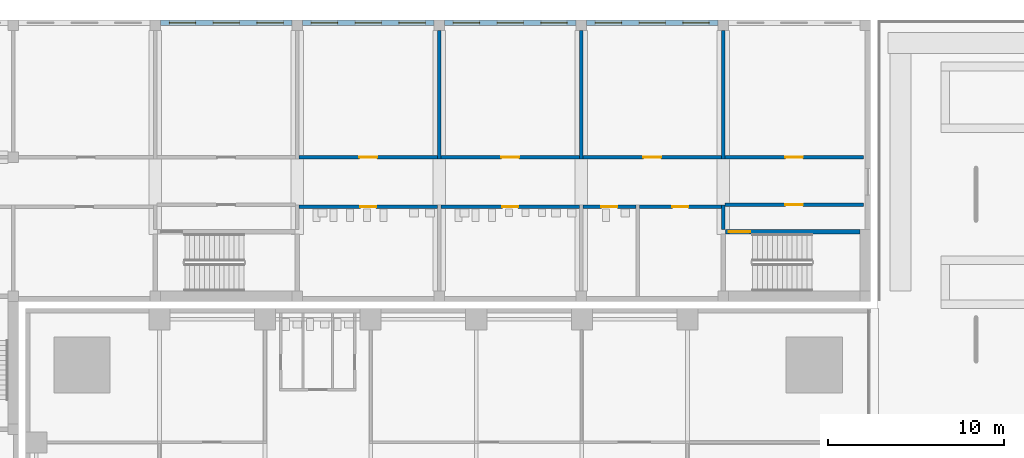
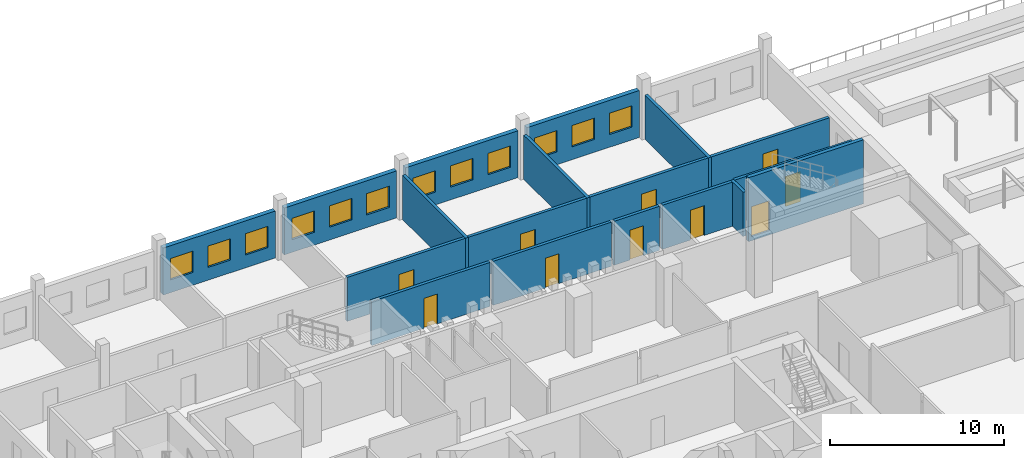
# One storey, part 26 of 34: 18 walls, 12 windows, 10 doors, 22 openings.
"""IFC4 building model written with IfcOpenShell, lengths in metres."""

from ifc_helpers import new_model, si_unit, direction, frame, frame_2d, origin, place, context, subcontext, project, spatial, rectangle, extrude, material, layer, layer_set, type_object, element, fill, save


model = new_model("IFC4")

# Units and contexts
model_context = context("Model", 3, precision=1e-05, world=origin(), true_north=direction((0.0, 1.0)))
body_context = subcontext(model_context, "Body", "Model", "MODEL_VIEW")
ifc_project = project(units=[si_unit("LENGTHUNIT", "METRE"), si_unit("AREAUNIT", "SQUARE_METRE"), si_unit("VOLUMEUNIT", "CUBIC_METRE"), si_unit("PLANEANGLEUNIT", "RADIAN"), si_unit("MASSUNIT", "GRAM", prefix="KILO")], contexts=[model_context])

# Site, building, storey
site_placement = place(None, origin())
site = spatial("IfcSite", under=ifc_project, at=site_placement, CompositionType="ELEMENT")
building_placement = place(site_placement, origin())
building = spatial("IfcBuilding", under=site, at=building_placement, Name="Amberfall Residences", CompositionType="ELEMENT")
storey_placement = place(building_placement, frame((0.0, 0.0, 5.5)))
storey = spatial("IfcBuildingStorey", under=building, at=storey_placement, Name="L01", CompositionType="ELEMENT", Elevation=5.5)

# Wall, openings, windows
ifc_material_1 = material(Name="Aerated block wall")
ifc_layer_1 = layer(ifc_material_1, 0.300048828125)
ifc_layer_set_1 = layer_set([ifc_layer_1], Name="School external wall 300")
wall_type_1 = type_object("IfcWallType", Name="School external wall 300", PredefinedType="SOLIDWALL", material=ifc_layer_set_1)
wall_1_placement = place(storey_placement, frame((59.6669921875, 84.25, 0.0), z_axis=(0.0, 0.0, 1.0), x_axis=(1.0, 0.0, 0.0)))
wall_1 = element("IfcWall", 1, at=wall_1_placement, inside=storey, type_object=wall_type_1, Name="School external wall L01 EN3", PredefinedType="SOLIDWALL", context=body_context, shape_type="SweptSolid", body=[
    extrude(rectangle(XDim=7.466064453125, YDim=0.300048828125, at=frame_2d((3.73291015625, 0.0))), origin(), (0.0, 0.0, 1.0), 3.300048828125),
])
opening_1_placement = place(wall_1_placement, frame((0.494384765625, 0.0, 0.89990234375)))
opening_1 = element("IfcOpeningElement", 2, at=opening_1_placement, cuts=wall_1, Name="Opening SWN1", PredefinedType="OPENING", context=body_context, shape_type="SweptSolid", body=[
    extrude(rectangle(XDim=1.5, YDim=1.5, at=frame_2d((0.75, 0.75))), frame((0.0, 0.159912109375, 0.0), z_axis=(0.0, -1.0, 0.0), x_axis=(1.0, 0.0, 0.0)), (0.0, 0.0, 1.0), 0.320068359375),
])
opening_2_placement = place(wall_1_placement, frame((2.98291015625, 0.0, 0.89990234375)))
opening_2 = element("IfcOpeningElement", 3, at=opening_2_placement, cuts=wall_1, Name="Opening SWN1", PredefinedType="OPENING", context=body_context, shape_type="SweptSolid", body=[
    extrude(rectangle(XDim=1.5, YDim=1.5, at=frame_2d((0.75, 0.75))), frame((0.0, 0.159912109375, 0.0), z_axis=(0.0, -1.0, 0.0), x_axis=(1.0, 0.0, 0.0)), (0.0, 0.0, 1.0), 0.320068359375),
])
opening_3_placement = place(wall_1_placement, frame((5.4716796875, 0.0, 0.89990234375)))
opening_3 = element("IfcOpeningElement", 4, at=opening_3_placement, cuts=wall_1, Name="Opening SWN1", PredefinedType="OPENING", context=body_context, shape_type="SweptSolid", body=[
    extrude(rectangle(XDim=1.5, YDim=1.5, at=frame_2d((0.75, 0.75))), frame((0.0, 0.159912109375, 0.0), z_axis=(0.0, -1.0, 0.0), x_axis=(1.0, 0.0, 0.0)), (0.0, 0.0, 1.0), 0.320068359375),
])
ifc_material_2 = material(Name="Aluminium window", Category="aluminium")
window_type = type_object("IfcWindowType", Name="School window 1500 x 1500", PartitioningType="DOUBLE_PANEL_HORIZONTAL", PredefinedType="WINDOW", material=ifc_material_2)
window_1_placement = place(opening_1_placement, origin())
window_1 = element("IfcWindow", 5, at=window_1_placement, inside=storey, type_object=window_type, Name="School window L01 EN3-1", OverallHeight=1.5, OverallWidth=1.5, PartitioningType="DOUBLE_PANEL_HORIZONTAL", PredefinedType="WINDOW", context=body_context, shape_type="SweptSolid", body=[
    extrude(rectangle(XDim=1.5, YDim=1.5, at=frame_2d((0.75, 0.75))), frame((0.0, 0.030029296875, 0.0), z_axis=(0.0, -1.0, 0.0), x_axis=(1.0, 0.0, 0.0)), (0.0, 0.0, 1.0), 0.06005859375),
])
fill(opening_1, window_1)
window_2_placement = place(opening_2_placement, origin())
window_2 = element("IfcWindow", 6, at=window_2_placement, inside=storey, type_object=window_type, Name="School window L01 EN3-2", OverallHeight=1.5, OverallWidth=1.5, PartitioningType="DOUBLE_PANEL_HORIZONTAL", PredefinedType="WINDOW", context=body_context, shape_type="SweptSolid", body=[
    extrude(rectangle(XDim=1.5, YDim=1.5, at=frame_2d((0.75, 0.75))), frame((0.0, 0.030029296875, 0.0), z_axis=(0.0, -1.0, 0.0), x_axis=(1.0, 0.0, 0.0)), (0.0, 0.0, 1.0), 0.06005859375),
])
fill(opening_2, window_2)
window_3_placement = place(opening_3_placement, origin())
window_3 = element("IfcWindow", 7, at=window_3_placement, inside=storey, type_object=window_type, Name="School window L01 EN3-3", OverallHeight=1.5, OverallWidth=1.5, PartitioningType="DOUBLE_PANEL_HORIZONTAL", PredefinedType="WINDOW", context=body_context, shape_type="SweptSolid", body=[
    extrude(rectangle(XDim=1.5, YDim=1.5, at=frame_2d((0.75, 0.75))), frame((0.0, 0.030029296875, 0.0), z_axis=(0.0, -1.0, 0.0), x_axis=(1.0, 0.0, 0.0)), (0.0, 0.0, 1.0), 0.06005859375),
])
fill(opening_3, window_3)

wall_2_placement = place(storey_placement, frame((67.73291015625, 84.25, 0.0), z_axis=(0.0, 0.0, 1.0), x_axis=(1.0, 0.0, 0.0)))
wall_2 = element("IfcWall", 8, at=wall_2_placement, inside=storey, type_object=wall_type_1, Name="School external wall L01 EN4", PredefinedType="SOLIDWALL", context=body_context, shape_type="SweptSolid", body=[
    extrude(rectangle(XDim=7.467041015625, YDim=0.300048828125, at=frame_2d((3.7333984375, 0.0))), origin(), (0.0, 0.0, 1.0), 3.300048828125),
])
opening_4_placement = place(wall_2_placement, frame((0.494384765625, 0.0, 0.89990234375)))
opening_4 = element("IfcOpeningElement", 9, at=opening_4_placement, cuts=wall_2, Name="Opening SWN1", PredefinedType="OPENING", context=body_context, shape_type="SweptSolid", body=[
    extrude(rectangle(XDim=1.5, YDim=1.5, at=frame_2d((0.75, 0.75))), frame((0.0, 0.159912109375, 0.0), z_axis=(0.0, -1.0, 0.0), x_axis=(1.0, 0.0, 0.0)), (0.0, 0.0, 1.0), 0.320068359375),
])
opening_5_placement = place(wall_2_placement, frame((2.9833984375, 0.0, 0.89990234375)))
opening_5 = element("IfcOpeningElement", 10, at=opening_5_placement, cuts=wall_2, Name="Opening SWN1", PredefinedType="OPENING", context=body_context, shape_type="SweptSolid", body=[
    extrude(rectangle(XDim=1.5, YDim=1.5, at=frame_2d((0.75, 0.75))), frame((0.0, 0.159912109375, 0.0), z_axis=(0.0, -1.0, 0.0), x_axis=(1.0, 0.0, 0.0)), (0.0, 0.0, 1.0), 0.320068359375),
])
opening_6_placement = place(wall_2_placement, frame((5.472412109375, 0.0, 0.89990234375)))
opening_6 = element("IfcOpeningElement", 11, at=opening_6_placement, cuts=wall_2, Name="Opening SWN1", PredefinedType="OPENING", context=body_context, shape_type="SweptSolid", body=[
    extrude(rectangle(XDim=1.5, YDim=1.5, at=frame_2d((0.75, 0.75))), frame((0.0, 0.159912109375, 0.0), z_axis=(0.0, -1.0, 0.0), x_axis=(1.0, 0.0, 0.0)), (0.0, 0.0, 1.0), 0.320068359375),
])
window_4_placement = place(opening_4_placement, origin())
window_4 = element("IfcWindow", 12, at=window_4_placement, inside=storey, type_object=window_type, Name="School window L01 EN4-1", OverallHeight=1.5, OverallWidth=1.5, PartitioningType="DOUBLE_PANEL_HORIZONTAL", PredefinedType="WINDOW", context=body_context, shape_type="SweptSolid", body=[
    extrude(rectangle(XDim=1.5, YDim=1.5, at=frame_2d((0.75, 0.75))), frame((0.0, 0.030029296875, 0.0), z_axis=(0.0, -1.0, 0.0), x_axis=(1.0, 0.0, 0.0)), (0.0, 0.0, 1.0), 0.06005859375),
])
fill(opening_4, window_4)
window_5_placement = place(opening_5_placement, origin())
window_5 = element("IfcWindow", 13, at=window_5_placement, inside=storey, type_object=window_type, Name="School window L01 EN4-2", OverallHeight=1.5, OverallWidth=1.5, PartitioningType="DOUBLE_PANEL_HORIZONTAL", PredefinedType="WINDOW", context=body_context, shape_type="SweptSolid", body=[
    extrude(rectangle(XDim=1.5, YDim=1.5, at=frame_2d((0.75, 0.75))), frame((0.0, 0.030029296875, 0.0), z_axis=(0.0, -1.0, 0.0), x_axis=(1.0, 0.0, 0.0)), (0.0, 0.0, 1.0), 0.06005859375),
])
fill(opening_5, window_5)
window_6_placement = place(opening_6_placement, origin())
window_6 = element("IfcWindow", 14, at=window_6_placement, inside=storey, type_object=window_type, Name="School window L01 EN4-3", OverallHeight=1.5, OverallWidth=1.5, PartitioningType="DOUBLE_PANEL_HORIZONTAL", PredefinedType="WINDOW", context=body_context, shape_type="SweptSolid", body=[
    extrude(rectangle(XDim=1.5, YDim=1.5, at=frame_2d((0.75, 0.75))), frame((0.0, 0.030029296875, 0.0), z_axis=(0.0, -1.0, 0.0), x_axis=(1.0, 0.0, 0.0)), (0.0, 0.0, 1.0), 0.06005859375),
])
fill(opening_6, window_6)

wall_3_placement = place(storey_placement, frame((75.800048828125, 84.25, 0.0), z_axis=(0.0, 0.0, 1.0), x_axis=(1.0, 0.0, 0.0)))
wall_3 = element("IfcWall", 15, at=wall_3_placement, inside=storey, type_object=wall_type_1, Name="School external wall L01 EN5", PredefinedType="SOLIDWALL", context=body_context, shape_type="SweptSolid", body=[
    extrude(rectangle(XDim=7.467041015625, YDim=0.300048828125, at=frame_2d((3.7333984375, 0.0))), origin(), (0.0, 0.0, 1.0), 3.300048828125),
])
opening_7_placement = place(wall_3_placement, frame((0.494384765625, 0.0, 0.89990234375)))
opening_7 = element("IfcOpeningElement", 16, at=opening_7_placement, cuts=wall_3, Name="Opening SWN1", PredefinedType="OPENING", context=body_context, shape_type="SweptSolid", body=[
    extrude(rectangle(XDim=1.5, YDim=1.5, at=frame_2d((0.75, 0.75))), frame((0.0, 0.159912109375, 0.0), z_axis=(0.0, -1.0, 0.0), x_axis=(1.0, 0.0, 0.0)), (0.0, 0.0, 1.0), 0.320068359375),
])
opening_8_placement = place(wall_3_placement, frame((2.9833984375, 0.0, 0.89990234375)))
opening_8 = element("IfcOpeningElement", 17, at=opening_8_placement, cuts=wall_3, Name="Opening SWN1", PredefinedType="OPENING", context=body_context, shape_type="SweptSolid", body=[
    extrude(rectangle(XDim=1.5, YDim=1.5, at=frame_2d((0.75, 0.75))), frame((0.0, 0.159912109375, 0.0), z_axis=(0.0, -1.0, 0.0), x_axis=(1.0, 0.0, 0.0)), (0.0, 0.0, 1.0), 0.320068359375),
])
opening_9_placement = place(wall_3_placement, frame((5.472412109375, 0.0, 0.89990234375)))
opening_9 = element("IfcOpeningElement", 18, at=opening_9_placement, cuts=wall_3, Name="Opening SWN1", PredefinedType="OPENING", context=body_context, shape_type="SweptSolid", body=[
    extrude(rectangle(XDim=1.5, YDim=1.5, at=frame_2d((0.75, 0.75))), frame((0.0, 0.159912109375, 0.0), z_axis=(0.0, -1.0, 0.0), x_axis=(1.0, 0.0, 0.0)), (0.0, 0.0, 1.0), 0.320068359375),
])
window_7_placement = place(opening_7_placement, origin())
window_7 = element("IfcWindow", 19, at=window_7_placement, inside=storey, type_object=window_type, Name="School window L01 EN5-1", OverallHeight=1.5, OverallWidth=1.5, PartitioningType="DOUBLE_PANEL_HORIZONTAL", PredefinedType="WINDOW", context=body_context, shape_type="SweptSolid", body=[
    extrude(rectangle(XDim=1.5, YDim=1.5, at=frame_2d((0.75, 0.75))), frame((0.0, 0.030029296875, 0.0), z_axis=(0.0, -1.0, 0.0), x_axis=(1.0, 0.0, 0.0)), (0.0, 0.0, 1.0), 0.06005859375),
])
fill(opening_7, window_7)
window_8_placement = place(opening_8_placement, origin())
window_8 = element("IfcWindow", 20, at=window_8_placement, inside=storey, type_object=window_type, Name="School window L01 EN5-2", OverallHeight=1.5, OverallWidth=1.5, PartitioningType="DOUBLE_PANEL_HORIZONTAL", PredefinedType="WINDOW", context=body_context, shape_type="SweptSolid", body=[
    extrude(rectangle(XDim=1.5, YDim=1.5, at=frame_2d((0.75, 0.75))), frame((0.0, 0.030029296875, 0.0), z_axis=(0.0, -1.0, 0.0), x_axis=(1.0, 0.0, 0.0)), (0.0, 0.0, 1.0), 0.06005859375),
])
fill(opening_8, window_8)
window_9_placement = place(opening_9_placement, origin())
window_9 = element("IfcWindow", 21, at=window_9_placement, inside=storey, type_object=window_type, Name="School window L01 EN5-3", OverallHeight=1.5, OverallWidth=1.5, PartitioningType="DOUBLE_PANEL_HORIZONTAL", PredefinedType="WINDOW", context=body_context, shape_type="SweptSolid", body=[
    extrude(rectangle(XDim=1.5, YDim=1.5, at=frame_2d((0.75, 0.75))), frame((0.0, 0.030029296875, 0.0), z_axis=(0.0, -1.0, 0.0), x_axis=(1.0, 0.0, 0.0)), (0.0, 0.0, 1.0), 0.06005859375),
])
fill(opening_9, window_9)

wall_4_placement = place(storey_placement, frame((83.866943359375, 84.25, 0.0), z_axis=(0.0, 0.0, 1.0), x_axis=(1.0, 0.0, 0.0)))
wall_4 = element("IfcWall", 22, at=wall_4_placement, inside=storey, type_object=wall_type_1, Name="School external wall L01 EN6", PredefinedType="SOLIDWALL", context=body_context, shape_type="SweptSolid", body=[
    extrude(rectangle(XDim=7.466064453125, YDim=0.300048828125, at=frame_2d((3.73291015625, 0.0))), origin(), (0.0, 0.0, 1.0), 3.300048828125),
])
opening_10_placement = place(wall_4_placement, frame((0.494384765625, 0.0, 0.89990234375)))
opening_10 = element("IfcOpeningElement", 23, at=opening_10_placement, cuts=wall_4, Name="Opening SWN1", PredefinedType="OPENING", context=body_context, shape_type="SweptSolid", body=[
    extrude(rectangle(XDim=1.5, YDim=1.5, at=frame_2d((0.75, 0.75))), frame((0.0, 0.159912109375, 0.0), z_axis=(0.0, -1.0, 0.0), x_axis=(1.0, 0.0, 0.0)), (0.0, 0.0, 1.0), 0.320068359375),
])
opening_11_placement = place(wall_4_placement, frame((2.98291015625, 0.0, 0.89990234375)))
opening_11 = element("IfcOpeningElement", 24, at=opening_11_placement, cuts=wall_4, Name="Opening SWN1", PredefinedType="OPENING", context=body_context, shape_type="SweptSolid", body=[
    extrude(rectangle(XDim=1.5, YDim=1.5, at=frame_2d((0.75, 0.75))), frame((0.0, 0.159912109375, 0.0), z_axis=(0.0, -1.0, 0.0), x_axis=(1.0, 0.0, 0.0)), (0.0, 0.0, 1.0), 0.320068359375),
])
opening_12_placement = place(wall_4_placement, frame((5.4716796875, 0.0, 0.89990234375)))
opening_12 = element("IfcOpeningElement", 25, at=opening_12_placement, cuts=wall_4, Name="Opening SWN1", PredefinedType="OPENING", context=body_context, shape_type="SweptSolid", body=[
    extrude(rectangle(XDim=1.5, YDim=1.5, at=frame_2d((0.75, 0.75))), frame((0.0, 0.159912109375, 0.0), z_axis=(0.0, -1.0, 0.0), x_axis=(1.0, 0.0, 0.0)), (0.0, 0.0, 1.0), 0.320068359375),
])
window_10_placement = place(opening_10_placement, origin())
window_10 = element("IfcWindow", 26, at=window_10_placement, inside=storey, type_object=window_type, Name="School window L01 EN6-1", OverallHeight=1.5, OverallWidth=1.5, PartitioningType="DOUBLE_PANEL_HORIZONTAL", PredefinedType="WINDOW", context=body_context, shape_type="SweptSolid", body=[
    extrude(rectangle(XDim=1.5, YDim=1.5, at=frame_2d((0.75, 0.75))), frame((0.0, 0.030029296875, 0.0), z_axis=(0.0, -1.0, 0.0), x_axis=(1.0, 0.0, 0.0)), (0.0, 0.0, 1.0), 0.06005859375),
])
fill(opening_10, window_10)
window_11_placement = place(opening_11_placement, origin())
window_11 = element("IfcWindow", 27, at=window_11_placement, inside=storey, type_object=window_type, Name="School window L01 EN6-2", OverallHeight=1.5, OverallWidth=1.5, PartitioningType="DOUBLE_PANEL_HORIZONTAL", PredefinedType="WINDOW", context=body_context, shape_type="SweptSolid", body=[
    extrude(rectangle(XDim=1.5, YDim=1.5, at=frame_2d((0.75, 0.75))), frame((0.0, 0.030029296875, 0.0), z_axis=(0.0, -1.0, 0.0), x_axis=(1.0, 0.0, 0.0)), (0.0, 0.0, 1.0), 0.06005859375),
])
fill(opening_11, window_11)
window_12_placement = place(opening_12_placement, origin())
window_12 = element("IfcWindow", 28, at=window_12_placement, inside=storey, type_object=window_type, Name="School window L01 EN6-3", OverallHeight=1.5, OverallWidth=1.5, PartitioningType="DOUBLE_PANEL_HORIZONTAL", PredefinedType="WINDOW", context=body_context, shape_type="SweptSolid", body=[
    extrude(rectangle(XDim=1.5, YDim=1.5, at=frame_2d((0.75, 0.75))), frame((0.0, 0.030029296875, 0.0), z_axis=(0.0, -1.0, 0.0), x_axis=(1.0, 0.0, 0.0)), (0.0, 0.0, 1.0), 0.06005859375),
])
fill(opening_12, window_12)

# Wall, opening, door
ifc_layer_2 = layer(ifc_material_1, 0.199951171875)
ifc_layer_set_2 = layer_set([ifc_layer_2], Name="School partition 200")
wall_type_2 = type_object("IfcWallType", Name="School partition 200", PredefinedType="PARTITIONING", material=ifc_layer_set_2)
wall_5_placement = place(storey_placement, frame((67.532958984375, 76.60009765625, 0.0), z_axis=(0.0, 0.0, 1.0), x_axis=(1.0, 0.0, 0.0)))
wall_5 = element("IfcWall", 29, at=wall_5_placement, inside=storey, type_object=wall_type_2, Name="School partition L01 CWN268", PredefinedType="PARTITIONING", context=body_context, shape_type="SweptSolid", body=[
    extrude(rectangle(XDim=7.866943359375, YDim=0.199951171875, at=frame_2d((3.93359375, 0.0))), origin(), (0.0, 0.0, 1.0), 3.10009765625),
])
opening_13_placement = place(wall_5_placement, frame((3.43359375, 0.0, 0.0)))
opening_13 = element("IfcOpeningElement", 30, at=opening_13_placement, cuts=wall_5, Name="Opening SD5", PredefinedType="OPENING", context=body_context, shape_type="SweptSolid", body=[
    extrude(rectangle(XDim=1.0, YDim=2.10009765625, at=frame_2d((0.5, 1.050048828125))), frame((0.0, 0.10986328125, 0.0), z_axis=(0.0, -1.0, 0.0), x_axis=(1.0, 0.0, 0.0)), (0.0, 0.0, 1.0), 0.219970703125),
])
ifc_material_3 = material(Name="Timber door", Category="wood")
door_type_1 = type_object("IfcDoorType", Name="School classroom door 1000 x 2100", OperationType="SINGLE_SWING_LEFT", PredefinedType="DOOR", material=ifc_material_3)
door_1_placement = place(opening_13_placement, origin())
door_1 = element("IfcDoor", 31, at=door_1_placement, inside=storey, type_object=door_type_1, Name="School door L01 CWN268-1", OperationType="SINGLE_SWING_LEFT", OverallHeight=2.10009765625, OverallWidth=1.0, PredefinedType="DOOR", context=body_context, shape_type="SweptSolid", body=[
    extrude(rectangle(XDim=1.0, YDim=2.10009765625, at=frame_2d((0.5, 1.050048828125))), frame((0.0, 0.02490234375, 0.0), z_axis=(0.0, -1.0, 0.0), x_axis=(1.0, 0.0, 0.0)), (0.0, 0.0, 1.0), 0.050048828125),
])
fill(opening_13, door_1)

wall_6_placement = place(storey_placement, frame((75.60009765625, 76.60009765625, 0.0), z_axis=(0.0, 0.0, 1.0), x_axis=(1.0, 0.0, 0.0)))
wall_6 = element("IfcWall", 32, at=wall_6_placement, inside=storey, type_object=wall_type_2, Name="School partition L01 CWN376", PredefinedType="PARTITIONING", context=body_context, shape_type="SweptSolid", body=[
    extrude(rectangle(XDim=7.866943359375, YDim=0.199951171875, at=frame_2d((3.93359375, 0.0))), origin(), (0.0, 0.0, 1.0), 3.10009765625),
])
opening_14_placement = place(wall_6_placement, frame((3.43359375, 0.0, 0.0)))
opening_14 = element("IfcOpeningElement", 33, at=opening_14_placement, cuts=wall_6, Name="Opening SD5", PredefinedType="OPENING", context=body_context, shape_type="SweptSolid", body=[
    extrude(rectangle(XDim=1.0, YDim=2.10009765625, at=frame_2d((0.5, 1.050048828125))), frame((0.0, 0.10986328125, 0.0), z_axis=(0.0, -1.0, 0.0), x_axis=(1.0, 0.0, 0.0)), (0.0, 0.0, 1.0), 0.219970703125),
])
door_2_placement = place(opening_14_placement, origin())
door_2 = element("IfcDoor", 34, at=door_2_placement, inside=storey, type_object=door_type_1, Name="School door L01 CWN376-1", OperationType="SINGLE_SWING_LEFT", OverallHeight=2.10009765625, OverallWidth=1.0, PredefinedType="DOOR", context=body_context, shape_type="SweptSolid", body=[
    extrude(rectangle(XDim=1.0, YDim=2.10009765625, at=frame_2d((0.5, 1.050048828125))), frame((0.0, 0.02490234375, 0.0), z_axis=(0.0, -1.0, 0.0), x_axis=(1.0, 0.0, 0.0)), (0.0, 0.0, 1.0), 0.050048828125),
])
fill(opening_14, door_2)

wall_7_placement = place(storey_placement, frame((83.6669921875, 76.60009765625, 0.0), z_axis=(0.0, 0.0, 1.0), x_axis=(1.0, 0.0, 0.0)))
wall_7 = element("IfcWall", 35, at=wall_7_placement, inside=storey, type_object=wall_type_2, Name="School partition L01 CWN484", PredefinedType="PARTITIONING", context=body_context, shape_type="SweptSolid", body=[
    extrude(rectangle(XDim=7.865966796875, YDim=0.199951171875, at=frame_2d((3.93310546875, 0.0))), origin(), (0.0, 0.0, 1.0), 3.10009765625),
])
opening_15_placement = place(wall_7_placement, frame((3.43310546875, 0.0, 0.0)))
opening_15 = element("IfcOpeningElement", 36, at=opening_15_placement, cuts=wall_7, Name="Opening SD5", PredefinedType="OPENING", context=body_context, shape_type="SweptSolid", body=[
    extrude(rectangle(XDim=1.0, YDim=2.10009765625, at=frame_2d((0.5, 1.050048828125))), frame((0.0, 0.10986328125, 0.0), z_axis=(0.0, -1.0, 0.0), x_axis=(1.0, 0.0, 0.0)), (0.0, 0.0, 1.0), 0.219970703125),
])
door_3_placement = place(opening_15_placement, origin())
door_3 = element("IfcDoor", 37, at=door_3_placement, inside=storey, type_object=door_type_1, Name="School door L01 CWN484-1", OperationType="SINGLE_SWING_LEFT", OverallHeight=2.10009765625, OverallWidth=1.0, PredefinedType="DOOR", context=body_context, shape_type="SweptSolid", body=[
    extrude(rectangle(XDim=1.0, YDim=2.10009765625, at=frame_2d((0.5, 1.050048828125))), frame((0.0, 0.02490234375, 0.0), z_axis=(0.0, -1.0, 0.0), x_axis=(1.0, 0.0, 0.0)), (0.0, 0.0, 1.0), 0.050048828125),
])
fill(opening_15, door_3)

wall_8_placement = place(storey_placement, frame((91.73291015625, 76.60009765625, 0.0), z_axis=(0.0, 0.0, 1.0), x_axis=(1.0, 0.0, 0.0)))
wall_8 = element("IfcWall", 38, at=wall_8_placement, inside=storey, type_object=wall_type_2, Name="School partition L01 CWN592", PredefinedType="PARTITIONING", context=body_context, shape_type="SweptSolid", body=[
    extrude(rectangle(XDim=7.8671875, YDim=0.199951171875, at=frame_2d((3.93359375, 0.0))), origin(), (0.0, 0.0, 1.0), 3.10009765625),
])
opening_16_placement = place(wall_8_placement, frame((3.43359375, 0.0, 0.0)))
opening_16 = element("IfcOpeningElement", 39, at=opening_16_placement, cuts=wall_8, Name="Opening SD5", PredefinedType="OPENING", context=body_context, shape_type="SweptSolid", body=[
    extrude(rectangle(XDim=1.0, YDim=2.10009765625, at=frame_2d((0.5, 1.050048828125))), frame((0.0, 0.10986328125, 0.0), z_axis=(0.0, -1.0, 0.0), x_axis=(1.0, 0.0, 0.0)), (0.0, 0.0, 1.0), 0.219970703125),
])
door_4_placement = place(opening_16_placement, origin())
door_4 = element("IfcDoor", 40, at=door_4_placement, inside=storey, type_object=door_type_1, Name="School door L01 CWN592-1", OperationType="SINGLE_SWING_LEFT", OverallHeight=2.10009765625, OverallWidth=1.0, PredefinedType="DOOR", context=body_context, shape_type="SweptSolid", body=[
    extrude(rectangle(XDim=1.0, YDim=2.10009765625, at=frame_2d((0.5, 1.050048828125))), frame((0.0, 0.02490234375, 0.0), z_axis=(0.0, -1.0, 0.0), x_axis=(1.0, 0.0, 0.0)), (0.0, 0.0, 1.0), 0.050048828125),
])
fill(opening_16, door_4)

# Walls
for number, where, z_axis, x_axis, name in (
    (41, (75.5, 76.5, 0.0), (0.0, 0.0, 1.0), (0.0, 1.0, 0.0), "School partition L01 PN7550"),
    (42, (83.56689453125, 76.5, 0.0), (0.0, 0.0, 1.0), (0.0, 1.0, 0.0), "School partition L01 PN8357"),
    (43, (91.633056640625, 76.5, 0.0), (0.0, 0.0, 1.0), (0.0, 1.0, 0.0), "School partition L01 PN9163"),
):
    element("IfcWall", number, at=place(storey_placement, frame(where, z_axis=z_axis, x_axis=x_axis)), inside=storey, type_object=wall_type_2, Name=name, PredefinedType="PARTITIONING", context=body_context, shape_type="SweptSolid", body=[
        extrude(rectangle(XDim=7.300048828125, YDim=0.199951171875, at=frame_2d((3.64990234375, 0.0))), origin(), (0.0, 0.0, 1.0), 3.10009765625),
    ])

# Wall, opening, door
wall_9_placement = place(storey_placement, frame((67.532958984375, 73.800048828125, 0.0), z_axis=(0.0, 0.0, 1.0), x_axis=(1.0, 0.0, 0.0)))
wall_9 = element("IfcWall", 44, at=wall_9_placement, inside=storey, type_object=wall_type_2, Name="School partition L01 CWS68", PredefinedType="PARTITIONING", context=body_context, shape_type="SweptSolid", body=[
    extrude(rectangle(XDim=7.866943359375, YDim=0.199951171875, at=frame_2d((3.93359375, 0.0))), origin(), (0.0, 0.0, 1.0), 3.10009765625),
])
opening_17_placement = place(wall_9_placement, frame((3.4833984375, 0.0, 0.0)))
opening_17 = element("IfcOpeningElement", 45, at=opening_17_placement, cuts=wall_9, Name="Opening SD2", PredefinedType="OPENING", context=body_context, shape_type="SweptSolid", body=[
    extrude(rectangle(XDim=0.89990234375, YDim=2.10009765625, at=frame_2d((0.449951171875, 1.050048828125))), frame((0.0, 0.10986328125, 0.0), z_axis=(0.0, -1.0, 0.0), x_axis=(1.0, 0.0, 0.0)), (0.0, 0.0, 1.0), 0.219970703125),
])
door_type_2 = type_object("IfcDoorType", Name="School WC door 900 x 2100", OperationType="SINGLE_SWING_LEFT", PredefinedType="DOOR", material=ifc_material_3)
door_5_placement = place(opening_17_placement, origin())
door_5 = element("IfcDoor", 46, at=door_5_placement, inside=storey, type_object=door_type_2, Name="School door L01 CWS68-1", OperationType="SINGLE_SWING_LEFT", OverallHeight=2.10009765625, OverallWidth=0.89990234375, PredefinedType="DOOR", context=body_context, shape_type="SweptSolid", body=[
    extrude(rectangle(XDim=0.89990234375, YDim=2.10009765625, at=frame_2d((0.449951171875, 1.050048828125))), frame((0.0, 0.02490234375, 0.0), z_axis=(0.0, -1.0, 0.0), x_axis=(1.0, 0.0, 0.0)), (0.0, 0.0, 1.0), 0.050048828125),
])
fill(opening_17, door_5)

wall_10_placement = place(storey_placement, frame((75.60009765625, 73.800048828125, 0.0), z_axis=(0.0, 0.0, 1.0), x_axis=(1.0, 0.0, 0.0)))
wall_10 = element("IfcWall", 47, at=wall_10_placement, inside=storey, type_object=wall_type_2, Name="School partition L01 CWS76", PredefinedType="PARTITIONING", context=body_context, shape_type="SweptSolid", body=[
    extrude(rectangle(XDim=7.866943359375, YDim=0.199951171875, at=frame_2d((3.93359375, 0.0))), origin(), (0.0, 0.0, 1.0), 3.10009765625),
])
opening_18_placement = place(wall_10_placement, frame((3.4833984375, 0.0, 0.0)))
opening_18 = element("IfcOpeningElement", 48, at=opening_18_placement, cuts=wall_10, Name="Opening SD2", PredefinedType="OPENING", context=body_context, shape_type="SweptSolid", body=[
    extrude(rectangle(XDim=0.89990234375, YDim=2.10009765625, at=frame_2d((0.449951171875, 1.050048828125))), frame((0.0, 0.10986328125, 0.0), z_axis=(0.0, -1.0, 0.0), x_axis=(1.0, 0.0, 0.0)), (0.0, 0.0, 1.0), 0.219970703125),
])
door_6_placement = place(opening_18_placement, origin())
door_6 = element("IfcDoor", 49, at=door_6_placement, inside=storey, type_object=door_type_2, Name="School door L01 CWS76-1", OperationType="SINGLE_SWING_LEFT", OverallHeight=2.10009765625, OverallWidth=0.89990234375, PredefinedType="DOOR", context=body_context, shape_type="SweptSolid", body=[
    extrude(rectangle(XDim=0.89990234375, YDim=2.10009765625, at=frame_2d((0.449951171875, 1.050048828125))), frame((0.0, 0.02490234375, 0.0), z_axis=(0.0, -1.0, 0.0), x_axis=(1.0, 0.0, 0.0)), (0.0, 0.0, 1.0), 0.050048828125),
])
fill(opening_18, door_6)

wall_11_placement = place(storey_placement, frame((83.6669921875, 73.800048828125, 0.0), z_axis=(0.0, 0.0, 1.0), x_axis=(1.0, 0.0, 0.0)))
wall_11 = element("IfcWall", 50, at=wall_11_placement, inside=storey, type_object=wall_type_2, Name="School partition L01 CWS84", PredefinedType="PARTITIONING", context=body_context, shape_type="SweptSolid", body=[
    extrude(rectangle(XDim=3.0, YDim=0.199951171875, at=frame_2d((1.5, 0.0))), origin(), (0.0, 0.0, 1.0), 3.10009765625),
])
opening_19_placement = place(wall_11_placement, frame((1.050048828125, 0.0, 0.0)))
opening_19 = element("IfcOpeningElement", 51, at=opening_19_placement, cuts=wall_11, Name="Opening SD2", PredefinedType="OPENING", context=body_context, shape_type="SweptSolid", body=[
    extrude(rectangle(XDim=0.89990234375, YDim=2.10009765625, at=frame_2d((0.449951171875, 1.050048828125))), frame((0.0, 0.10986328125, 0.0), z_axis=(0.0, -1.0, 0.0), x_axis=(1.0, 0.0, 0.0)), (0.0, 0.0, 1.0), 0.219970703125),
])
door_7_placement = place(opening_19_placement, origin())
door_7 = element("IfcDoor", 52, at=door_7_placement, inside=storey, type_object=door_type_2, Name="School door L01 CWS84-1", OperationType="SINGLE_SWING_LEFT", OverallHeight=2.10009765625, OverallWidth=0.89990234375, PredefinedType="DOOR", context=body_context, shape_type="SweptSolid", body=[
    extrude(rectangle(XDim=0.89990234375, YDim=2.10009765625, at=frame_2d((0.449951171875, 1.050048828125))), frame((0.0, 0.02490234375, 0.0), z_axis=(0.0, -1.0, 0.0), x_axis=(1.0, 0.0, 0.0)), (0.0, 0.0, 1.0), 0.050048828125),
])
fill(opening_19, door_7)

wall_12_placement = place(storey_placement, frame((86.866943359375, 73.800048828125, 0.0), z_axis=(0.0, 0.0, 1.0), x_axis=(1.0, 0.0, 0.0)))
wall_12 = element("IfcWall", 53, at=wall_12_placement, inside=storey, type_object=wall_type_2, Name="School partition L01 CWS87", PredefinedType="PARTITIONING", context=body_context, shape_type="SweptSolid", body=[
    extrude(rectangle(XDim=4.666015625, YDim=0.199951171875, at=frame_2d((2.3330078125, 0.0))), origin(), (0.0, 0.0, 1.0), 3.10009765625),
])
opening_20_placement = place(wall_12_placement, frame((1.883056640625, 0.0, 0.0)))
opening_20 = element("IfcOpeningElement", 54, at=opening_20_placement, cuts=wall_12, Name="Opening SD2", PredefinedType="OPENING", context=body_context, shape_type="SweptSolid", body=[
    extrude(rectangle(XDim=0.89990234375, YDim=2.10009765625, at=frame_2d((0.449951171875, 1.050048828125))), frame((0.0, 0.10986328125, 0.0), z_axis=(0.0, -1.0, 0.0), x_axis=(1.0, 0.0, 0.0)), (0.0, 0.0, 1.0), 0.219970703125),
])
door_8_placement = place(opening_20_placement, origin())
door_8 = element("IfcDoor", 55, at=door_8_placement, inside=storey, type_object=door_type_2, Name="School door L01 CWS87-1", OperationType="SINGLE_SWING_LEFT", OverallHeight=2.10009765625, OverallWidth=0.89990234375, PredefinedType="DOOR", context=body_context, shape_type="SweptSolid", body=[
    extrude(rectangle(XDim=0.89990234375, YDim=2.10009765625, at=frame_2d((0.449951171875, 1.050048828125))), frame((0.0, 0.02490234375, 0.0), z_axis=(0.0, -1.0, 0.0), x_axis=(1.0, 0.0, 0.0)), (0.0, 0.0, 1.0), 0.050048828125),
])
fill(opening_20, door_8)

# Wall
wall_13_placement = place(storey_placement, frame((91.633056640625, 72.5, 0.0), z_axis=(0.0, 0.0, 1.0), x_axis=(0.0, 1.0, 0.0)))
element("IfcWall", 56, at=wall_13_placement, inside=storey, type_object=wall_type_2, Name="School partition L01 PSA5", PredefinedType="PARTITIONING", context=body_context, shape_type="SweptSolid", body=[
    extrude(rectangle(XDim=1.39990234375, YDim=0.199951171875, at=frame_2d((0.699951171875, 0.0))), origin(), (0.0, 0.0, 1.0), 3.10009765625),
])

# Wall, opening, door
wall_14_placement = place(storey_placement, frame((91.73291015625, 73.89990234375, 0.0), z_axis=(0.0, 0.0, 1.0), x_axis=(1.0, 0.0, 0.0)))
wall_14 = element("IfcWall", 57, at=wall_14_placement, inside=storey, type_object=wall_type_2, Name="School partition L01 CWLSS5", PredefinedType="PARTITIONING", context=body_context, shape_type="SweptSolid", body=[
    extrude(rectangle(XDim=7.8671875, YDim=0.199951171875, at=frame_2d((3.93359375, 0.0))), origin(), (0.0, 0.0, 1.0), 3.10009765625),
])
opening_21_placement = place(wall_14_placement, frame((3.43359375, 0.0, 0.0)))
opening_21 = element("IfcOpeningElement", 58, at=opening_21_placement, cuts=wall_14, Name="Opening SD8", PredefinedType="OPENING", context=body_context, shape_type="SweptSolid", body=[
    extrude(rectangle(XDim=1.0, YDim=2.10009765625, at=frame_2d((0.5, 1.050048828125))), frame((0.0, 0.10986328125, 0.0), z_axis=(0.0, -1.0, 0.0), x_axis=(1.0, 0.0, 0.0)), (0.0, 0.0, 1.0), 0.219970703125),
])
door_type_3 = type_object("IfcDoorType", Name="School lobby door 1000 x 2100", OperationType="SINGLE_SWING_LEFT", PredefinedType="DOOR", material=ifc_material_3)
door_9_placement = place(opening_21_placement, origin())
door_9 = element("IfcDoor", 59, at=door_9_placement, inside=storey, type_object=door_type_3, Name="School door L01 CWLSS5-1", OperationType="SINGLE_SWING_LEFT", OverallHeight=2.10009765625, OverallWidth=1.0, PredefinedType="DOOR", context=body_context, shape_type="SweptSolid", body=[
    extrude(rectangle(XDim=1.0, YDim=2.10009765625, at=frame_2d((0.5, 1.050048828125))), frame((0.0, 0.02490234375, 0.0), z_axis=(0.0, -1.0, 0.0), x_axis=(1.0, 0.0, 0.0)), (0.0, 0.0, 1.0), 0.050048828125),
])
fill(opening_21, door_9)

ifc_material_4 = material(Name="Concrete C50", Category="concrete")
ifc_layer_3 = layer(ifc_material_4, 0.25)
ifc_layer_set_3 = layer_set([ifc_layer_3], Name="School stair core wall 250 C50")
wall_type_3 = type_object("IfcWallType", Name="School stair core wall 250 C50", PredefinedType="SHEAR", material=ifc_layer_set_3)
wall_15_placement = place(storey_placement, frame((91.758056640625, 72.375, -0.300048828125), z_axis=(0.0, 0.0, 1.0), x_axis=(1.0, 0.0, 0.0)))
wall_15 = element("IfcWall", 60, at=wall_15_placement, inside=storey, type_object=wall_type_3, Name="School core wall L01 SS5N", PredefinedType="SHEAR", context=body_context, shape_type="SweptSolid", body=[
    extrude(rectangle(XDim=7.641845703125, YDim=0.25, at=frame_2d((3.82080078125, 0.0))), origin(), (0.0, 0.0, 1.0), 4.5),
])
opening_22_placement = place(wall_15_placement, frame((0.199951171875, 0.0, 0.300048828125)))
opening_22 = element("IfcOpeningElement", 61, at=opening_22_placement, cuts=wall_15, Name="Opening SD4", PredefinedType="OPENING", context=body_context, shape_type="SweptSolid", body=[
    extrude(rectangle(XDim=1.199951171875, YDim=2.10009765625, at=frame_2d((0.60009765625, 1.050048828125))), frame((0.0, 0.135009765625, 0.0), z_axis=(0.0, -1.0, 0.0), x_axis=(1.0, 0.0, 0.0)), (0.0, 0.0, 1.0), 0.27001953125),
])
ifc_material_5 = material(Name="Steel fire door", Category="steel")
door_type_4 = type_object("IfcDoorType", Name="School stair door 1200 x 2100 FD120", OperationType="SINGLE_SWING_LEFT", PredefinedType="DOOR", material=ifc_material_5)
door_10_placement = place(opening_22_placement, origin())
door_10 = element("IfcDoor", 62, at=door_10_placement, inside=storey, type_object=door_type_4, Name="School stair door L01 SS5", OperationType="SINGLE_SWING_LEFT", OverallHeight=2.10009765625, OverallWidth=1.199951171875, PredefinedType="DOOR", context=body_context, shape_type="SweptSolid", body=[
    extrude(rectangle(XDim=1.199951171875, YDim=2.10009765625, at=frame_2d((0.60009765625, 1.050048828125))), frame((0.0, 0.02490234375, 0.0), z_axis=(0.0, -1.0, 0.0), x_axis=(1.0, 0.0, 0.0)), (0.0, 0.0, 1.0), 0.050048828125),
])
fill(opening_22, door_10)

save(model, "model.ifc")
